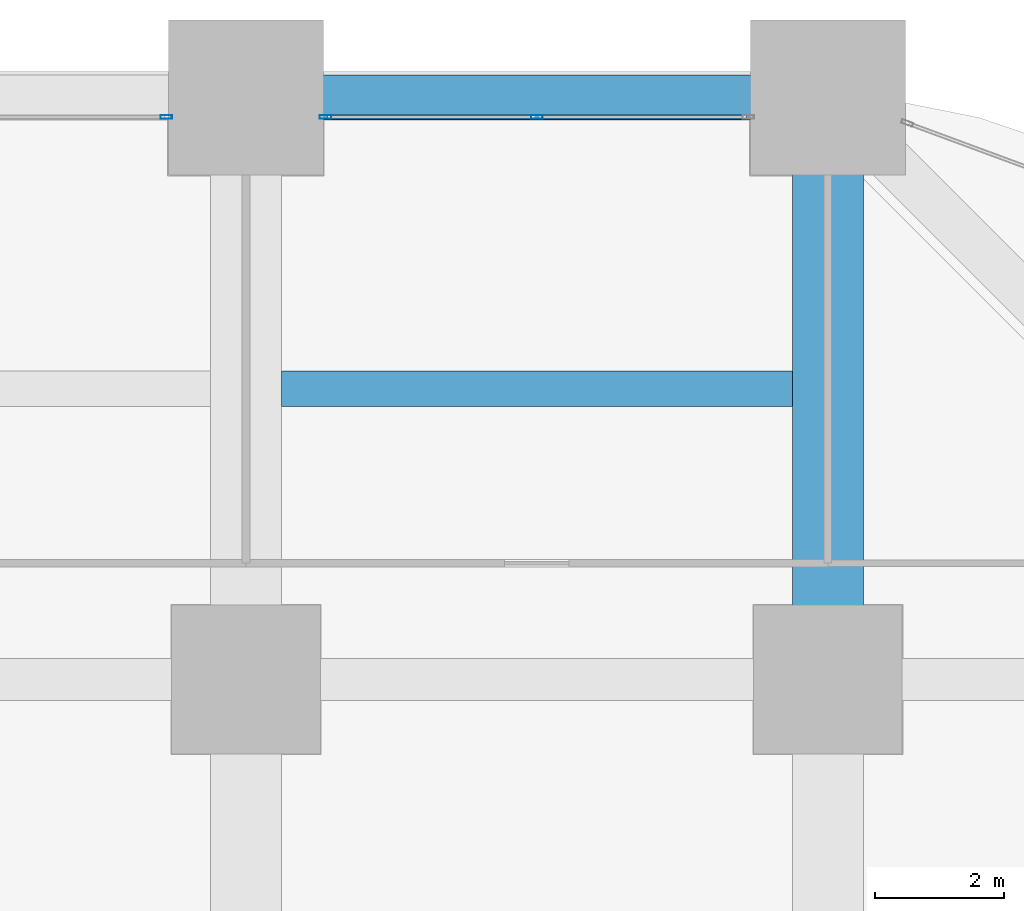
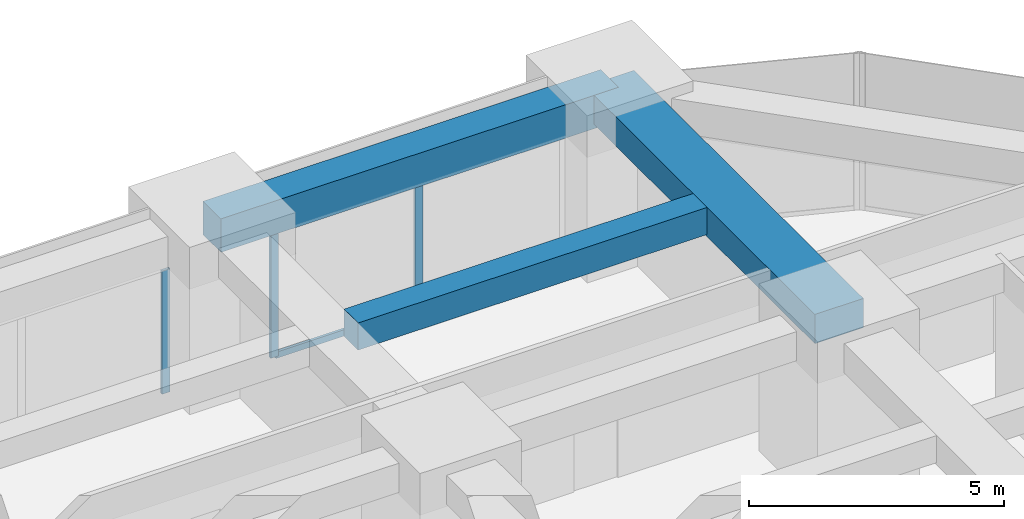
# One storey, part 24 of 39: 4 members, 3 beams, 2 elements without a shape of their own.
"""IFC4 building model written with IfcOpenShell, lengths in metres."""

from ifc_helpers import new_model, si_unit, direction, frame, origin, origin_2d, place, context, subcontext, project, spatial, rectangle, hollow_rectangle, extrude, material, material_profile, profile_set, type_object, element, aggregate, save


model = new_model("IFC4")

# Units and contexts
model_context = context("Model", 3, precision=1e-05, world=origin(), true_north=direction((0.0, 1.0)))
body_context = subcontext(model_context, "Body", "Model", "MODEL_VIEW")
ifc_project = project(units=[si_unit("LENGTHUNIT", "METRE"), si_unit("AREAUNIT", "SQUARE_METRE"), si_unit("VOLUMEUNIT", "CUBIC_METRE"), si_unit("PLANEANGLEUNIT", "RADIAN"), si_unit("MASSUNIT", "GRAM", prefix="KILO")], contexts=[model_context])

# Site, building, storey
site_placement = place(None, origin())
site = spatial("IfcSite", under=ifc_project, at=site_placement, CompositionType="ELEMENT")
building_placement = place(site_placement, origin())
building = spatial("IfcBuilding", under=site, at=building_placement, Name="Zorevar Civic Tower", CompositionType="ELEMENT")
storey_placement = place(building_placement, frame((0.0, 0.0, 19.800048828125)))
storey = spatial("IfcBuildingStorey", under=building, at=storey_placement, Name="L04", CompositionType="ELEMENT", Elevation=19.800048828125)

# Beams
ifc_material_1 = material(Name="Concrete C50/60", Category="concrete")
ifc_material_profile_1 = material_profile(ifc_material_1, rectangle(XDim=1.10009765625, YDim=0.699951171875, at=origin_2d()), Name="RC 1100x700")
ifc_profile_set_1 = profile_set([ifc_material_profile_1], Name="Concrete C50/60")
beam_type_1 = type_object("IfcBeamType", Name="Beam RC 1100x700", PredefinedType="BEAM", material=ifc_profile_set_1)
beam_1_placement = place(storey_placement, frame((54.0, 45.0, 3.39990234375), z_axis=(0.0, 1.0, 0.0), x_axis=(-1.0, 0.0, 0.0)))
element("IfcBeam", 1, at=beam_1_placement, inside=storey, type_object=beam_type_1, Name="Girder L05", PredefinedType="BEAM", context=body_context, shape_type="SweptSolid", body=[
    extrude(rectangle(XDim=1.10009765625, YDim=0.699951171875, at=origin_2d()), origin(), (0.0, 0.0, 1.0), 9.0),
])
ifc_material_2 = material(Name="Concrete C50/60", Category="concrete")
ifc_material_profile_2 = material_profile(ifc_material_2, rectangle(XDim=0.550048828125, YDim=0.64990234375, at=origin_2d()), Name="RC 550x650")
ifc_profile_set_2 = profile_set([ifc_material_profile_2], Name="Concrete C50/60")
beam_type_2 = type_object("IfcBeamType", Name="Beam RC 550x650", PredefinedType="BEAM", material=ifc_profile_set_2)
beam_2_placement = place(storey_placement, frame((45.550048828125, 49.5, 3.425048828125), z_axis=(1.0, 0.0, 0.0), x_axis=(0.0, 1.0, 0.0)))
element("IfcBeam", 2, at=beam_2_placement, inside=storey, type_object=beam_type_2, Name="Secondary beam L05", PredefinedType="BEAM", context=body_context, shape_type="SweptSolid", body=[
    extrude(rectangle(XDim=0.550048828125, YDim=0.64990234375, at=origin_2d()), origin(), (0.0, 0.0, 1.0), 7.89990234375),
])

# Curtain wall, member
ifc_material_3 = material(Name="Dark grey solar-control glass in black aluminium frame", Category="aluminium")
curtain_wall_type = type_object("IfcCurtainWallType", Name="Curtain wall CW2 low zone", PredefinedType="NOTDEFINED", material=ifc_material_3)
curtain_wall_1_placement = place(storey_placement, origin())
curtain_wall_1 = element("IfcCurtainWall", 3, at=curtain_wall_1_placement, inside=storey, type_object=curtain_wall_type, Name="CW2 L04", PredefinedType="NOTDEFINED")
ifc_material_4 = material(Name="Aluminium, black anodised", Category="aluminium")
ifc_material_profile_3 = material_profile(ifc_material_4, hollow_rectangle(XDim=0.06005859375, YDim=0.179931640625, WallThickness=0.00390625, at=origin_2d()), Name="AL 180x60x4")
ifc_profile_set_3 = profile_set([ifc_material_profile_3], Name="Aluminium, black anodised")
member_type_1 = type_object("IfcMemberType", Name="CW2 mullion AL 180x60x4", PredefinedType="MULLION", material=ifc_profile_set_3)
member_1_placement = place(storey_placement, frame((43.77001953125, 53.699951171875, 0.0), z_axis=(0.0, 0.0, 1.0), x_axis=(0.0, 1.0, 0.0)))
member_1 = element("IfcMember", 4, at=member_1_placement, type_object=member_type_1, Name="CW2 mullion 3", PredefinedType="MULLION", context=body_context, shape_type="SweptSolid", body=[
    extrude(hollow_rectangle(XDim=0.06005859375, YDim=0.179931640625, WallThickness=0.00390625, at=origin_2d()), origin(), (0.0, 0.0, 1.0), 2.949951171875),
])
aggregate(curtain_wall_1, [member_1])

# Curtain wall, members
curtain_wall_2_placement = place(storey_placement, origin())
curtain_wall_2 = element("IfcCurtainWall", 5, at=curtain_wall_2_placement, inside=storey, type_object=curtain_wall_type, Name="CW2 L04", PredefinedType="NOTDEFINED")
member_2_placement = place(storey_placement, frame((46.22998046875, 53.699951171875, 0.0), z_axis=(0.0, 0.0, 1.0), x_axis=(0.0, 1.0, 0.0)))
member_2 = element("IfcMember", 6, at=member_2_placement, type_object=member_type_1, Name="CW2 mullion 1", PredefinedType="MULLION", context=body_context, shape_type="SweptSolid", body=[
    extrude(hollow_rectangle(XDim=0.06005859375, YDim=0.179931640625, WallThickness=0.00390625, at=origin_2d()), origin(), (0.0, 0.0, 1.0), 2.949951171875),
])
member_3_placement = place(storey_placement, frame((49.5, 53.699951171875, 0.06005859375), z_axis=(0.0, 0.0, 1.0), x_axis=(0.0, 1.0, 0.0)))
member_3 = element("IfcMember", 7, at=member_3_placement, type_object=member_type_1, Name="CW2 mullion 2", PredefinedType="MULLION", context=body_context, shape_type="SweptSolid", body=[
    extrude(hollow_rectangle(XDim=0.06005859375, YDim=0.179931640625, WallThickness=0.00390625, at=origin_2d()), origin(), (0.0, 0.0, 1.0), 2.889892578125),
])
ifc_material_5 = material(Name="Aluminium, black anodised", Category="aluminium")
ifc_material_profile_4 = material_profile(ifc_material_5, hollow_rectangle(XDim=0.06005859375, YDim=0.14990234375, WallThickness=0.00390625, at=origin_2d()), Name="AL 150x60x4")
ifc_profile_set_4 = profile_set([ifc_material_profile_4], Name="Aluminium, black anodised")
member_type_2 = type_object("IfcMemberType", Name="CW2 transom AL 150x60x4", PredefinedType="USERDEFINED", material=ifc_profile_set_4)
member_4_placement = place(storey_placement, frame((46.260009765625, 53.699951171875, 0.030029296875), z_axis=(1.0, 0.0, 0.0), x_axis=(0.0, 1.0, 0.0)))
member_4 = element("IfcMember", 8, at=member_4_placement, type_object=member_type_2, Name="CW2 sill transom", ObjectType="TRANSOM", PredefinedType="USERDEFINED", context=body_context, shape_type="SweptSolid", body=[
    extrude(hollow_rectangle(XDim=0.06005859375, YDim=0.14990234375, WallThickness=0.00390625, at=origin_2d()), origin(), (0.0, 0.0, 1.0), 6.47998046875),
])
aggregate(curtain_wall_2, [member_2, member_3, member_4])

# Beam
ifc_material_6 = material(Name="Concrete C50/60", Category="concrete")
ifc_material_profile_5 = material_profile(ifc_material_6, rectangle(XDim=0.699951171875, YDim=0.800048828125, at=origin_2d()), Name="RC 700x800")
ifc_profile_set_5 = profile_set([ifc_material_profile_5], Name="Concrete C50/60")
beam_type_3 = type_object("IfcBeamType", Name="Edge beam RC 700x800", PredefinedType="SPANDREL", material=ifc_profile_set_5)
beam_3_placement = place(storey_placement, frame((45.0, 54.0, 3.349853515625), z_axis=(1.0, 0.0, 0.0), x_axis=(0.0, 1.0, 0.0)))
element("IfcBeam", 9, at=beam_3_placement, inside=storey, type_object=beam_type_3, Name="Edge beam L05", PredefinedType="SPANDREL", context=body_context, shape_type="SweptSolid", body=[
    extrude(rectangle(XDim=0.699951171875, YDim=0.800048828125, at=origin_2d()), origin(), (0.0, 0.0, 1.0), 9.0),
])

save(model, "model.ifc")
